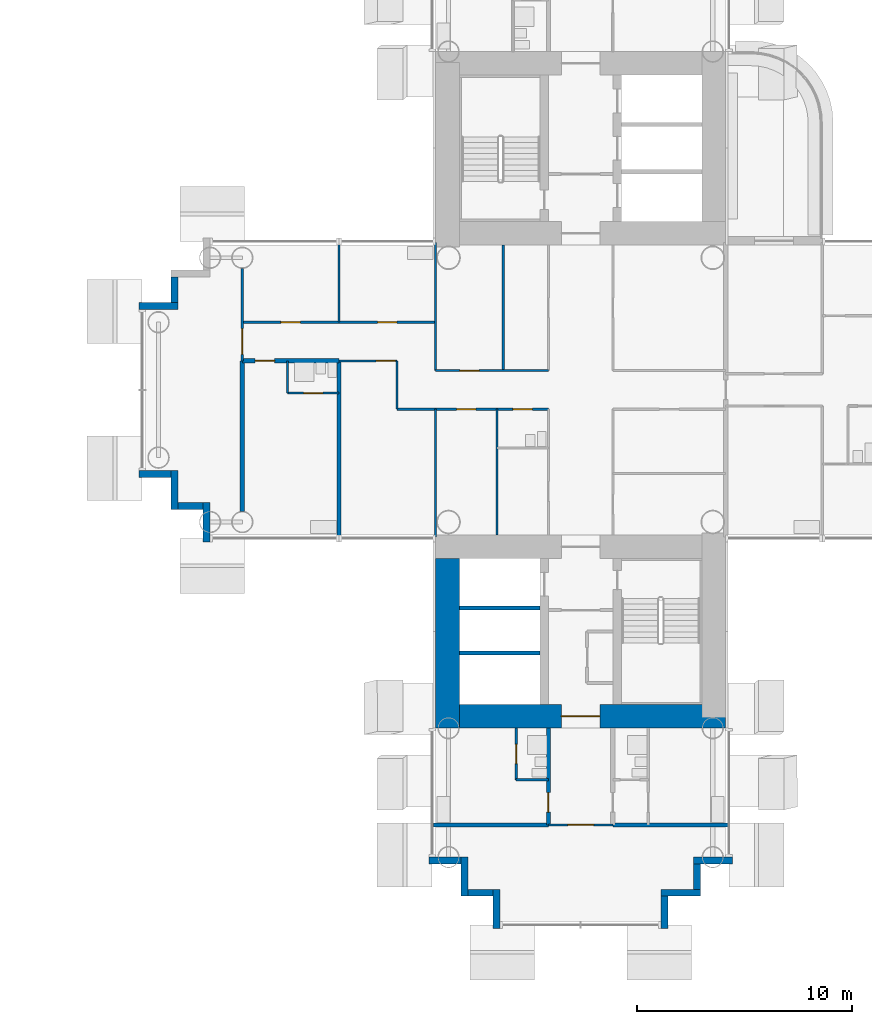
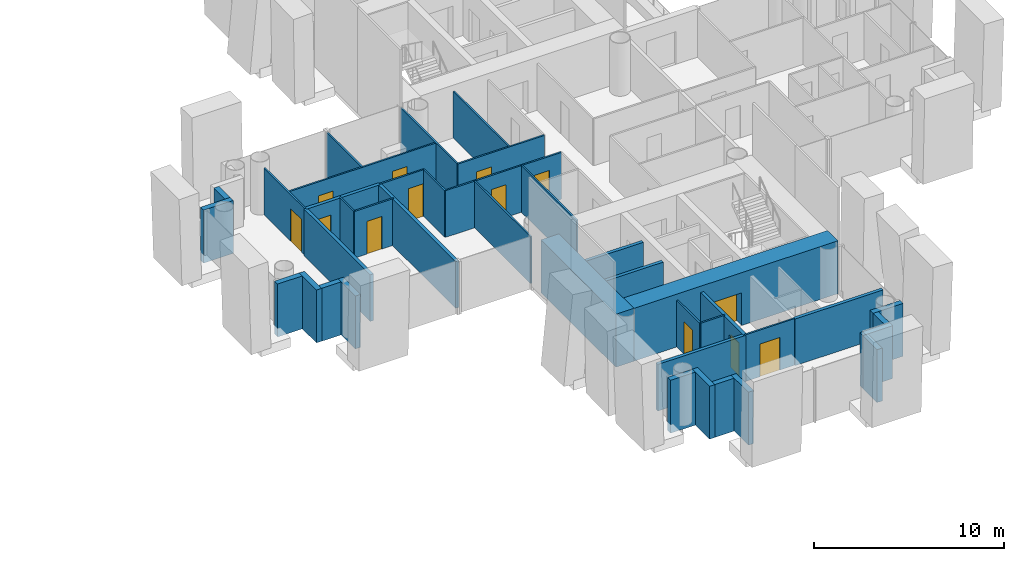
# One storey, part 14 of 25: 40 walls, 13 doors, 13 openings.
"""IFC4 building model written with IfcOpenShell, lengths in metres."""

import ifcopenshell
import ifcopenshell.guid

model = None  # the IFC model being written
_history = None  # IfcOwnerHistory: only IFC2X3 demands one
_inside = {}  # id of a spatial element -> (the spatial element, [elements in it])
_under = {}  # id of a project, library or spatial element -> (it, [spatial elements below it])
_declared = {}  # id of a project -> (the project, [libraries it declares])
_typed = {}  # id of a type object -> (the type object, [elements of that type])
_made_of = {}  # id of a material, layer set ... -> (it, [elements and type objects made of it])


def new_model(schema):
    """Start an empty IFC model of exactly this schema.

    Asked for "IFC4X3", IfcOpenShell would pick the latest addendum, in which some entities
    have other attributes; the version numbers below select the first issue.
    IFC2X3 requires an IfcOwnerHistory on every rooted entity: one is made here for all.
    """
    global model, _history
    if schema == "IFC4X3":
        model = ifcopenshell.file(schema_version=(4, 3, 0, 0))
    else:
        model = ifcopenshell.file(schema=schema)
    _inside.clear()
    _under.clear()
    _declared.clear()
    _typed.clear()
    _made_of.clear()
    _history = None
    if model.schema == "IFC2X3":
        org = make("IfcOrganization", Name="unknown")
        user = make(
            "IfcPersonAndOrganization",
            ThePerson=make("IfcPerson", FamilyName="unknown"),
            TheOrganization=org,
        )
        app = make(
            "IfcApplication",
            ApplicationDeveloper=org,
            Version="unknown",
            ApplicationFullName="unknown",
            ApplicationIdentifier="unknown",
        )
        _history = make(
            "IfcOwnerHistory",
            OwningUser=user,
            OwningApplication=app,
            ChangeAction="ADDED",
            CreationDate=0,
        )
    return model


def make(cls, **values):
    """One entity of the class cls with the attributes given. An attribute that is None is left unset."""
    return model.create_entity(
        cls, **{name: value for name, value in values.items() if value is not None}
    )


def rooted(cls, **values):
    """An entity with a GlobalId (a new one), such as an element, a storey or a relation."""
    return make(cls, GlobalId=ifcopenshell.guid.new(), OwnerHistory=_history, **values)


def si_unit(unit_type, name, prefix=None):
    """IfcSIUnit, for example si_unit("LENGTHUNIT", "METRE", prefix="MILLI")."""
    return make("IfcSIUnit", UnitType=unit_type, Prefix=prefix, Name=name)


def assignment(units):
    """IfcUnitAssignment: the units of a project."""
    return None if units is None else make("IfcUnitAssignment", Units=units)


def point(xyz):
    """IfcCartesianPoint."""
    return None if xyz is None else make("IfcCartesianPoint", Coordinates=xyz)


def direction(xyz):
    """IfcDirection."""
    return None if xyz is None else make("IfcDirection", DirectionRatios=xyz)


def frame(location, z_axis=None, x_axis=None):
    """IfcAxis2Placement3D, a coordinate frame: its origin and axes. An axis left out is left unset."""
    return make(
        "IfcAxis2Placement3D",
        Location=point(location),
        Axis=direction(z_axis),
        RefDirection=direction(x_axis),
    )


def frame_2d(location, x_axis=None):
    """IfcAxis2Placement2D, a coordinate frame in the plane: its origin and x axis."""
    return make(
        "IfcAxis2Placement2D", Location=point(location), RefDirection=direction(x_axis)
    )


def origin():
    """The frame at (0, 0, 0) with its axes left unset."""
    return frame((0.0, 0.0, 0.0))


def place(relative_to, where):
    """IfcLocalPlacement: puts the frame where relative to a parent placement (None: the world)."""
    return make(
        "IfcLocalPlacement", PlacementRelTo=relative_to, RelativePlacement=where
    )


def context(
    kind, dimensions, precision=None, world=None, true_north=None, identifier=None
):
    """IfcGeometricRepresentationContext, for example the 3D "Model" context."""
    return make(
        "IfcGeometricRepresentationContext",
        ContextIdentifier=identifier,
        ContextType=kind,
        CoordinateSpaceDimension=dimensions,
        Precision=precision,
        WorldCoordinateSystem=world,
        TrueNorth=true_north,
    )


def subcontext(parent, identifier, kind, view, scale=None):
    """IfcGeometricRepresentationSubContext, for example "Body" below "Model"."""
    return make(
        "IfcGeometricRepresentationSubContext",
        ContextIdentifier=identifier,
        ContextType=kind,
        ParentContext=parent,
        TargetScale=scale,
        TargetView=view,
    )


def project(units=None, contexts=None):
    """IfcProject with its units and contexts."""
    return rooted(
        "IfcProject",
        Name="project",
        RepresentationContexts=contexts,
        UnitsInContext=assignment(units),
    )


def spatial(cls, under=None, at=None, **own):
    """A site, building, storey or space (cls), placed at a placement, below another one or the project."""
    s = rooted(cls, ObjectPlacement=at, **own)
    if under is not None:
        _under.setdefault(under.id(), (under, []))[1].append(s)
    return s


def profile(cls, at=None, kind="AREA", **sizes):
    """A parametric profile (cls). Its sizes go by their IFC names, for example OverallWidth=200.0."""
    return make(cls, ProfileType=kind, Position=at, **sizes)


def rectangle(**sizes):
    """IfcRectangleProfileDef."""
    return profile("IfcRectangleProfileDef", **sizes)


def extrude(swept, where, along, depth):
    """IfcExtrudedAreaSolid: the profile swept, set in the frame where, extruded along a direction by depth."""
    return make(
        "IfcExtrudedAreaSolid",
        SweptArea=swept,
        Position=where,
        ExtrudedDirection=direction(along),
        Depth=depth,
    )


def shape(context_of_items, identifier, shape_type, items):
    """IfcShapeRepresentation: the items that make up one representation, for example the "Body"."""
    return make(
        "IfcShapeRepresentation",
        ContextOfItems=context_of_items,
        RepresentationIdentifier=identifier,
        RepresentationType=shape_type,
        Items=items,
    )


def material(Name=None, Category=None):
    """IfcMaterial."""
    return make("IfcMaterial", Name=Name, Category=Category)


def layer(
    of_material, thickness, ventilated=None, Name=None, Category=None, Priority=None
):
    """IfcMaterialLayer: one layer of a wall or slab, of a material (None: an air gap)."""
    return make(
        "IfcMaterialLayer",
        Material=of_material,
        LayerThickness=thickness,
        IsVentilated=ventilated,
        Name=Name,
        Category=Category,
        Priority=Priority,
    )


def layer_set(layers, Name=None):
    """IfcMaterialLayerSet."""
    return make("IfcMaterialLayerSet", MaterialLayers=layers, LayerSetName=Name)


def made_of(thing, what):
    """Note that an element or type object is made of a material, layer set ...; save() writes the relation."""
    if what is not None:
        _made_of.setdefault(what.id(), (what, []))[1].append(thing)
    return thing


def type_object(cls, material=None, **own):
    """A type object (cls), such as IfcWallType, which elements share."""
    return made_of(rooted(cls, **own), material)


def element(
    cls,
    number,
    at=None,
    inside=None,
    cuts=None,
    type_object=None,
    material=None,
    context=None,
    identifier="Body",
    shape_type=None,
    held_by="IfcProductDefinitionShape",
    body=None,
    shapes=None,
    **own,
):
    """One element of the class cls, such as IfcWall. Its Tag is "e" and its number.

    at: its placement. inside: the storey or other place that contains it. cuts: it is an
    opening in that element (IfcRelVoidsElement). A single representation is given by context,
    identifier, shape_type and body (its items); several are given by shapes. held_by: the class
    of the entity that holds the representations. save() writes the other relations.
    """
    e = rooted(cls, Tag="e%d" % number, ObjectPlacement=at, **own)
    if body is not None:
        shapes = [shape(context, identifier, shape_type, body)]
    if shapes is not None:
        e.Representation = make(held_by, Representations=shapes)
    if inside is not None:
        _inside.setdefault(inside.id(), (inside, []))[1].append(e)
    if cuts is not None:
        rooted(
            "IfcRelVoidsElement", RelatingBuildingElement=cuts, RelatedOpeningElement=e
        )
    if type_object is not None:
        _typed.setdefault(type_object.id(), (type_object, []))[1].append(e)
    return made_of(e, material)


def fill(opening, filler):
    """IfcRelFillsElement: the door or window that sits in an opening."""
    return rooted(
        "IfcRelFillsElement",
        RelatingOpeningElement=opening,
        RelatedBuildingElement=filler,
    )


def aggregate(whole, parts):
    """IfcRelAggregates: a whole, such as a stair, and the parts it consists of."""
    return rooted("IfcRelAggregates", RelatingObject=whole, RelatedObjects=parts)


def save(model, path):
    """Write the relations noted so far, then the file.

    IfcRelAggregates (storeys below a building ...), IfcRelContainedInSpatialStructure (elements
    in a storey), IfcRelDefinesByType, IfcRelAssociatesMaterial and IfcRelDeclares: one each for
    every whole, place, type object, material and project.
    """
    for whole, parts in _under.values():
        aggregate(whole, parts)
    for where, things in _inside.values():
        rooted(
            "IfcRelContainedInSpatialStructure",
            RelatedElements=things,
            RelatingStructure=where,
        )
    for kind, things in _typed.values():
        rooted("IfcRelDefinesByType", RelatedObjects=things, RelatingType=kind)
    for what, things in _made_of.values():
        rooted("IfcRelAssociatesMaterial", RelatedObjects=things, RelatingMaterial=what)
    for by, libraries in _declared.values():
        rooted("IfcRelDeclares", RelatingContext=by, RelatedDefinitions=libraries)
    model.write(path)


model = new_model("IFC4")

# Units and contexts
model_context = context("Model", 3, precision=1e-05, world=origin(), true_north=direction((0.0, 1.0)))
body_context = subcontext(model_context, "Body", "Model", "MODEL_VIEW")
ifc_project = project(units=[si_unit("LENGTHUNIT", "METRE"), si_unit("AREAUNIT", "SQUARE_METRE"), si_unit("VOLUMEUNIT", "CUBIC_METRE"), si_unit("PLANEANGLEUNIT", "RADIAN"), si_unit("MASSUNIT", "GRAM", prefix="KILO")], contexts=[model_context])

# Site, building, storey
site_placement = place(None, origin())
site = spatial("IfcSite", under=ifc_project, at=site_placement, CompositionType="ELEMENT")
building_placement = place(site_placement, origin())
building = spatial("IfcBuilding", under=site, at=building_placement, Name="Ipe Terrace Towers", CompositionType="ELEMENT")
storey_placement = place(building_placement, frame((0.0, 0.0, 65.300048828125)))
storey = spatial("IfcBuildingStorey", under=building, at=storey_placement, Name="L17", CompositionType="ELEMENT", Elevation=65.300048828125)

# Walls
ifc_material_1 = material(Name="Concrete C40/50 with buff precast cladding", Category="concrete")
ifc_layer_1 = layer(ifc_material_1, 0.320068359375)
ifc_layer_set_1 = layer_set([ifc_layer_1], Name="BUFF CLADDING WALL 320")
wall_type_1 = type_object("IfcWallType", Name="BUFF CLADDING WALL 320", PredefinedType="STANDARD", material=ifc_layer_set_1)
wall_1_placement = place(storey_placement, frame((39.909912109375, -25.070068359375, -0.300048828125), z_axis=(0.0, 0.0, 1.0), x_axis=(0.0, 1.0, 0.0)))
element("IfcWall", 1, at=wall_1_placement, inside=storey, type_object=wall_type_1, Name="T2-W-L17-00a wall", PredefinedType="STANDARD", context=body_context, shape_type="SweptSolid", body=[
    extrude(rectangle(XDim=1.5, YDim=0.320068359375, at=frame_2d((0.75, 0.0))), origin(), (0.0, 0.0, 1.0), 3.39990234375),
])
wall_2_placement = place(storey_placement, frame((39.75, -23.409912109375, -0.300048828125), z_axis=(0.0, 0.0, 1.0), x_axis=(1.0, 0.0, 0.0)))
element("IfcWall", 2, at=wall_2_placement, inside=storey, type_object=wall_type_1, Name="T2-W-L17-01a wall", PredefinedType="STANDARD", context=body_context, shape_type="SweptSolid", body=[
    extrude(rectangle(XDim=1.820068359375, YDim=0.320068359375, at=frame_2d((0.91015625, 0.0))), origin(), (0.0, 0.0, 1.0), 3.39990234375),
])
wall_3_placement = place(storey_placement, frame((41.409912109375, -23.25, -0.300048828125), z_axis=(0.0, 0.0, 1.0), x_axis=(0.0, 1.0, 0.0)))
element("IfcWall", 3, at=wall_3_placement, inside=storey, type_object=wall_type_1, Name="T2-W-L17-02a wall", PredefinedType="STANDARD", context=body_context, shape_type="SweptSolid", body=[
    extrude(rectangle(XDim=1.179931640625, YDim=0.320068359375, at=frame_2d((0.58984375, 0.0))), origin(), (0.0, 0.0, 1.0), 3.39990234375),
])
wall_4_placement = place(storey_placement, frame((41.25, -21.909912109375, -0.300048828125), z_axis=(0.0, 0.0, 1.0), x_axis=(1.0, 0.0, 0.0)))
element("IfcWall", 4, at=wall_4_placement, inside=storey, type_object=wall_type_1, Name="T2-W-L17-03a wall", PredefinedType="STANDARD", context=body_context, shape_type="SweptSolid", body=[
    extrude(rectangle(XDim=1.820068359375, YDim=0.320068359375, at=frame_2d((0.91015625, 0.0))), origin(), (0.0, 0.0, 1.0), 3.39990234375),
])
wall_5_placement = place(storey_placement, frame((17.090087890625, 5.25, -0.300048828125), z_axis=(0.0, 0.0, 1.0), x_axis=(0.0, -1.0, 0.0)))
element("IfcWall", 5, at=wall_5_placement, inside=storey, type_object=wall_type_1, Name="T2-W-L17-36a wall", PredefinedType="STANDARD", context=body_context, shape_type="SweptSolid", body=[
    extrude(rectangle(XDim=1.179931640625, YDim=0.320068359375, at=frame_2d((0.58984375, 0.0))), origin(), (0.0, 0.0, 1.0), 3.39990234375),
])
wall_6_placement = place(storey_placement, frame((17.25, 3.909912109375, -0.300048828125), z_axis=(0.0, 0.0, 1.0), x_axis=(-1.0, 0.0, 0.0)))
element("IfcWall", 6, at=wall_6_placement, inside=storey, type_object=wall_type_1, Name="T2-W-L17-37a wall", PredefinedType="STANDARD", context=body_context, shape_type="SweptSolid", body=[
    extrude(rectangle(XDim=1.820068359375, YDim=0.320068359375, at=frame_2d((0.91015625, 0.0))), origin(), (0.0, 0.0, 1.0), 3.39990234375),
])
wall_7_placement = place(storey_placement, frame((15.429931640625, -3.909912109375, -0.300048828125), z_axis=(0.0, 0.0, 1.0), x_axis=(1.0, 0.0, 0.0)))
element("IfcWall", 7, at=wall_7_placement, inside=storey, type_object=wall_type_1, Name="T2-W-L17-39a wall", PredefinedType="STANDARD", context=body_context, shape_type="SweptSolid", body=[
    extrude(rectangle(XDim=1.5, YDim=0.320068359375, at=frame_2d((0.75, 0.0))), origin(), (0.0, 0.0, 1.0), 3.39990234375),
])
wall_8_placement = place(storey_placement, frame((17.090087890625, -3.75, -0.300048828125), z_axis=(0.0, 0.0, 1.0), x_axis=(0.0, -1.0, 0.0)))
element("IfcWall", 8, at=wall_8_placement, inside=storey, type_object=wall_type_1, Name="T2-W-L17-40a wall", PredefinedType="STANDARD", context=body_context, shape_type="SweptSolid", body=[
    extrude(rectangle(XDim=1.820068359375, YDim=0.320068359375, at=frame_2d((0.91015625, 0.0))), origin(), (0.0, 0.0, 1.0), 3.39990234375),
])
wall_9_placement = place(storey_placement, frame((17.25, -5.409912109375, -0.300048828125), z_axis=(0.0, 0.0, 1.0), x_axis=(1.0, 0.0, 0.0)))
element("IfcWall", 9, at=wall_9_placement, inside=storey, type_object=wall_type_1, Name="T2-W-L17-41a wall", PredefinedType="STANDARD", context=body_context, shape_type="SweptSolid", body=[
    extrude(rectangle(XDim=1.179931640625, YDim=0.320068359375, at=frame_2d((0.58984375, 0.0))), origin(), (0.0, 0.0, 1.0), 3.39990234375),
])
wall_10_placement = place(storey_placement, frame((18.590087890625, -5.25, -0.300048828125), z_axis=(0.0, 0.0, 1.0), x_axis=(0.0, -1.0, 0.0)))
element("IfcWall", 10, at=wall_10_placement, inside=storey, type_object=wall_type_1, Name="T2-W-L17-42a wall", PredefinedType="STANDARD", context=body_context, shape_type="SweptSolid", body=[
    extrude(rectangle(XDim=1.820068359375, YDim=0.320068359375, at=frame_2d((0.91015625, 0.0))), origin(), (0.0, 0.0, 1.0), 3.39990234375),
])
wall_11_placement = place(storey_placement, frame((28.929931640625, -21.909912109375, -0.300048828125), z_axis=(0.0, 0.0, 1.0), x_axis=(1.0, 0.0, 0.0)))
element("IfcWall", 11, at=wall_11_placement, inside=storey, type_object=wall_type_1, Name="T2-W-L17-47a wall", PredefinedType="STANDARD", context=body_context, shape_type="SweptSolid", body=[
    extrude(rectangle(XDim=1.5, YDim=0.320068359375, at=frame_2d((0.75, 0.0))), origin(), (0.0, 0.0, 1.0), 3.39990234375),
])
wall_12_placement = place(storey_placement, frame((30.590087890625, -21.75, -0.300048828125), z_axis=(0.0, 0.0, 1.0), x_axis=(0.0, -1.0, 0.0)))
element("IfcWall", 12, at=wall_12_placement, inside=storey, type_object=wall_type_1, Name="T2-W-L17-48a wall", PredefinedType="STANDARD", context=body_context, shape_type="SweptSolid", body=[
    extrude(rectangle(XDim=1.820068359375, YDim=0.320068359375, at=frame_2d((0.91015625, 0.0))), origin(), (0.0, 0.0, 1.0), 3.39990234375),
])
wall_13_placement = place(storey_placement, frame((30.75, -23.409912109375, -0.300048828125), z_axis=(0.0, 0.0, 1.0), x_axis=(1.0, 0.0, 0.0)))
element("IfcWall", 13, at=wall_13_placement, inside=storey, type_object=wall_type_1, Name="T2-W-L17-49a wall", PredefinedType="STANDARD", context=body_context, shape_type="SweptSolid", body=[
    extrude(rectangle(XDim=1.179931640625, YDim=0.320068359375, at=frame_2d((0.58984375, 0.0))), origin(), (0.0, 0.0, 1.0), 3.39990234375),
])
wall_14_placement = place(storey_placement, frame((32.090087890625, -23.25, -0.300048828125), z_axis=(0.0, 0.0, 1.0), x_axis=(0.0, -1.0, 0.0)))
element("IfcWall", 14, at=wall_14_placement, inside=storey, type_object=wall_type_1, Name="T2-W-L17-50a wall", PredefinedType="STANDARD", context=body_context, shape_type="SweptSolid", body=[
    extrude(rectangle(XDim=1.820068359375, YDim=0.320068359375, at=frame_2d((0.91015625, 0.0))), origin(), (0.0, 0.0, 1.0), 3.39990234375),
])

# Wall, opening, door
ifc_material_2 = material(Name="Gypsum board partition", Category="plasterboard")
ifc_layer_2 = layer(ifc_material_2, 0.10009765625)
ifc_layer_set_2 = layer_set([ifc_layer_2], Name="Gypsum board partition 100 mm")
wall_type_2 = type_object("IfcWallType", Name="Gypsum board partition 100 mm", PredefinedType="PARTITIONING", material=ifc_layer_set_2)
wall_15_placement = place(storey_placement, frame((37.5, -20.25, 0.0), z_axis=(0.0, 0.0, 1.0), x_axis=(-1.0, 0.0, 0.0)))
wall_15 = element("IfcWall", 15, at=wall_15_placement, inside=storey, type_object=wall_type_2, Name="Gypsum board partition T2 L17 W01", PredefinedType="PARTITIONING", context=body_context, shape_type="SweptSolid", body=[
    extrude(rectangle(XDim=3.0, YDim=0.10009765625, at=frame_2d((1.5, 0.0))), origin(), (0.0, 0.0, 1.0), 3.0),
])
opening_1_placement = place(wall_15_placement, frame((0.89990234375, 0.0, 0.0)))
opening_1 = element("IfcOpeningElement", 16, at=opening_1_placement, cuts=wall_15, Name="Opening T2-Z1E-39", PredefinedType="OPENING", context=body_context, shape_type="SweptSolid", body=[
    extrude(rectangle(XDim=1.199951171875, YDim=2.10009765625, at=frame_2d((0.60009765625, 1.050048828125))), frame((0.0, 0.06005859375, 0.0), z_axis=(0.0, -1.0, 0.0), x_axis=(1.0, 0.0, 0.0)), (0.0, 0.0, 1.0), 0.1201171875),
])
ifc_material_3 = material(Name="Timber door leaf", Category="wood")
door_type_1 = type_object("IfcDoorType", Name="Lounge door 1200 x 2100", OperationType="NOTDEFINED", PredefinedType="DOOR", material=ifc_material_3)
door_1_placement = place(opening_1_placement, origin())
door_1 = element("IfcDoor", 17, at=door_1_placement, inside=storey, type_object=door_type_1, Name="Lounge door T2-Z1E-39", OperationType="SINGLE_SWING_LEFT", OverallHeight=2.10009765625, OverallWidth=1.199951171875, PredefinedType="DOOR", context=body_context, shape_type="SweptSolid", body=[
    extrude(rectangle(XDim=1.199951171875, YDim=2.10009765625, at=frame_2d((0.60009765625, 1.050048828125))), frame((0.0, 0.02490234375, 0.0), z_axis=(0.0, -1.0, 0.0), x_axis=(1.0, 0.0, 0.0)), (0.0, 0.0, 1.0), 0.050048828125),
])
fill(opening_1, door_1)

# Wall
wall_16_placement = place(storey_placement, frame((34.5, -18.14990234375, 0.0), z_axis=(0.0, 0.0, 1.0), x_axis=(-1.0, 0.0, 0.0)))
element("IfcWall", 18, at=wall_16_placement, inside=storey, type_object=wall_type_2, Name="Gypsum board partition T2 L17 W05", PredefinedType="PARTITIONING", context=body_context, shape_type="SweptSolid", body=[
    extrude(rectangle(XDim=1.5, YDim=0.10009765625, at=frame_2d((0.75, 0.0))), origin(), (0.0, 0.0, 1.0), 3.0),
])

# Wall, openings, doors
wall_17_placement = place(storey_placement, frame((34.5, -0.89990234375, 0.0), z_axis=(0.0, 0.0, 1.0), x_axis=(-1.0, 0.0, 0.0)))
wall_17 = element("IfcWall", 19, at=wall_17_placement, inside=storey, type_object=wall_type_2, Name="Gypsum board partition T2 L17 W11", PredefinedType="PARTITIONING", context=body_context, shape_type="SweptSolid", body=[
    extrude(rectangle(XDim=7.050048828125, YDim=0.10009765625, at=frame_2d((3.52490234375, 0.0))), origin(), (0.0, 0.0, 1.0), 3.0),
])
opening_2_placement = place(wall_17_placement, frame((0.75, 0.0, 0.0)))
opening_2 = element("IfcOpeningElement", 20, at=opening_2_placement, cuts=wall_17, Name="Opening T2-Z1E-01", PredefinedType="OPENING", context=body_context, shape_type="SweptSolid", body=[
    extrude(rectangle(XDim=0.89990234375, YDim=2.10009765625, at=frame_2d((0.449951171875, 1.050048828125))), frame((0.0, 0.06005859375, 0.0), z_axis=(0.0, -1.0, 0.0), x_axis=(1.0, 0.0, 0.0)), (0.0, 0.0, 1.0), 0.1201171875),
])
opening_3_placement = place(wall_17_placement, frame((3.375, 0.0, 0.0)))
opening_3 = element("IfcOpeningElement", 21, at=opening_3_placement, cuts=wall_17, Name="Opening T2-Z1E-05", PredefinedType="OPENING", context=body_context, shape_type="SweptSolid", body=[
    extrude(rectangle(XDim=0.89990234375, YDim=2.10009765625, at=frame_2d((0.449951171875, 1.050048828125))), frame((0.0, 0.06005859375, 0.0), z_axis=(0.0, -1.0, 0.0), x_axis=(1.0, 0.0, 0.0)), (0.0, 0.0, 1.0), 0.1201171875),
])
ifc_material_4 = material(Name="Timber door leaf", Category="wood")
door_type_2 = type_object("IfcDoorType", Name="Bathroom door 900 x 2100", OperationType="NOTDEFINED", PredefinedType="DOOR", material=ifc_material_4)
door_2_placement = place(opening_2_placement, origin())
door_2 = element("IfcDoor", 22, at=door_2_placement, inside=storey, type_object=door_type_2, Name="Bathroom door T2-Z1E-01", OperationType="SINGLE_SWING_RIGHT", OverallHeight=2.10009765625, OverallWidth=0.89990234375, PredefinedType="DOOR", context=body_context, shape_type="SweptSolid", body=[
    extrude(rectangle(XDim=0.89990234375, YDim=2.10009765625, at=frame_2d((0.449951171875, 1.050048828125))), frame((0.0, 0.02490234375, 0.0), z_axis=(0.0, -1.0, 0.0), x_axis=(1.0, 0.0, 0.0)), (0.0, 0.0, 1.0), 0.050048828125),
])
fill(opening_2, door_2)
ifc_material_5 = material(Name="Timber door leaf", Category="wood")
door_type_3 = type_object("IfcDoorType", Name="Lounge door 900 x 2100", OperationType="NOTDEFINED", PredefinedType="DOOR", material=ifc_material_5)
door_3_placement = place(opening_3_placement, origin())
door_3 = element("IfcDoor", 23, at=door_3_placement, inside=storey, type_object=door_type_3, Name="Lounge door T2-Z1E-05", OperationType="SINGLE_SWING_LEFT", OverallHeight=2.10009765625, OverallWidth=0.89990234375, PredefinedType="DOOR", context=body_context, shape_type="SweptSolid", body=[
    extrude(rectangle(XDim=0.89990234375, YDim=2.10009765625, at=frame_2d((0.449951171875, 1.050048828125))), frame((0.0, 0.02490234375, 0.0), z_axis=(0.0, -1.0, 0.0), x_axis=(1.0, 0.0, 0.0)), (0.0, 0.0, 1.0), 0.050048828125),
])
fill(opening_3, door_3)

# Wall, opening, door
wall_18_placement = place(storey_placement, frame((24.75, -0.14990234375, 0.0), z_axis=(0.0, 0.0, 1.0), x_axis=(-1.0, 0.0, 0.0)))
wall_18 = element("IfcWall", 24, at=wall_18_placement, inside=storey, type_object=wall_type_2, Name="Gypsum board partition T2 L17 W14", PredefinedType="PARTITIONING", context=body_context, shape_type="SweptSolid", body=[
    extrude(rectangle(XDim=2.39990234375, YDim=0.10009765625, at=frame_2d((1.199951171875, 0.0))), origin(), (0.0, 0.0, 1.0), 3.0),
])
opening_4_placement = place(wall_18_placement, frame((0.75, 0.0, 0.0)))
opening_4 = element("IfcOpeningElement", 25, at=opening_4_placement, cuts=wall_18, Name="Opening T2-Z1E-11", PredefinedType="OPENING", context=body_context, shape_type="SweptSolid", body=[
    extrude(rectangle(XDim=0.89990234375, YDim=2.10009765625, at=frame_2d((0.449951171875, 1.050048828125))), frame((0.0, 0.06005859375, 0.0), z_axis=(0.0, -1.0, 0.0), x_axis=(1.0, 0.0, 0.0)), (0.0, 0.0, 1.0), 0.1201171875),
])
door_4_placement = place(opening_4_placement, origin())
door_4 = element("IfcDoor", 26, at=door_4_placement, inside=storey, type_object=door_type_2, Name="Bathroom door T2-Z1E-11", OperationType="SINGLE_SWING_LEFT", OverallHeight=2.10009765625, OverallWidth=0.89990234375, PredefinedType="DOOR", context=body_context, shape_type="SweptSolid", body=[
    extrude(rectangle(XDim=0.89990234375, YDim=2.10009765625, at=frame_2d((0.449951171875, 1.050048828125))), frame((0.0, 0.02490234375, 0.0), z_axis=(0.0, -1.0, 0.0), x_axis=(1.0, 0.0, 0.0)), (0.0, 0.0, 1.0), 0.050048828125),
])
fill(opening_4, door_4)

wall_19_placement = place(storey_placement, frame((34.5, 0.89990234375, 0.0), z_axis=(0.0, 0.0, 1.0), x_axis=(-1.0, 0.0, 0.0)))
wall_19 = element("IfcWall", 27, at=wall_19_placement, inside=storey, type_object=wall_type_2, Name="Gypsum board partition T2 L17 W17", PredefinedType="PARTITIONING", context=body_context, shape_type="SweptSolid", body=[
    extrude(rectangle(XDim=5.25, YDim=0.10009765625, at=frame_2d((2.625, 0.0))), origin(), (0.0, 0.0, 1.0), 3.0),
])
opening_5_placement = place(wall_19_placement, frame((3.22509765625, 0.0, 0.0)))
opening_5 = element("IfcOpeningElement", 28, at=opening_5_placement, cuts=wall_19, Name="Opening T2-Z1E-03", PredefinedType="OPENING", context=body_context, shape_type="SweptSolid", body=[
    extrude(rectangle(XDim=0.89990234375, YDim=2.10009765625, at=frame_2d((0.449951171875, 1.050048828125))), frame((0.0, 0.06005859375, 0.0), z_axis=(0.0, -1.0, 0.0), x_axis=(1.0, 0.0, 0.0)), (0.0, 0.0, 1.0), 0.1201171875),
])
door_5_placement = place(opening_5_placement, origin())
door_5 = element("IfcDoor", 29, at=door_5_placement, inside=storey, type_object=door_type_3, Name="Lounge door T2-Z1E-03", OperationType="SINGLE_SWING_RIGHT", OverallHeight=2.10009765625, OverallWidth=0.89990234375, PredefinedType="DOOR", context=body_context, shape_type="SweptSolid", body=[
    extrude(rectangle(XDim=0.89990234375, YDim=2.10009765625, at=frame_2d((0.449951171875, 1.050048828125))), frame((0.0, 0.02490234375, 0.0), z_axis=(0.0, -1.0, 0.0), x_axis=(1.0, 0.0, 0.0)), (0.0, 0.0, 1.0), 0.050048828125),
])
fill(opening_5, door_5)

wall_20_placement = place(storey_placement, frame((27.449951171875, 1.35009765625, 0.0), z_axis=(0.0, 0.0, 1.0), x_axis=(-1.0, 0.0, 0.0)))
wall_20 = element("IfcWall", 30, at=wall_20_placement, inside=storey, type_object=wall_type_2, Name="Gypsum board partition T2 L17 W18", PredefinedType="PARTITIONING", context=body_context, shape_type="SweptSolid", body=[
    extrude(rectangle(XDim=2.699951171875, YDim=0.10009765625, at=frame_2d((1.35009765625, 0.0))), origin(), (0.0, 0.0, 1.0), 3.0),
])
opening_6_placement = place(wall_20_placement, frame((0.070068359375, 0.0, 0.0)))
opening_6 = element("IfcOpeningElement", 31, at=opening_6_placement, cuts=wall_20, Name="Opening T2-Z1E-09", PredefinedType="OPENING", context=body_context, shape_type="SweptSolid", body=[
    extrude(rectangle(XDim=0.89990234375, YDim=2.10009765625, at=frame_2d((0.449951171875, 1.050048828125))), frame((0.0, 0.06005859375, 0.0), z_axis=(0.0, -1.0, 0.0), x_axis=(1.0, 0.0, 0.0)), (0.0, 0.0, 1.0), 0.1201171875),
])
door_6_placement = place(opening_6_placement, origin())
door_6 = element("IfcDoor", 32, at=door_6_placement, inside=storey, type_object=door_type_3, Name="Lounge door T2-Z1E-09", OperationType="SINGLE_SWING_RIGHT", OverallHeight=2.10009765625, OverallWidth=0.89990234375, PredefinedType="DOOR", context=body_context, shape_type="SweptSolid", body=[
    extrude(rectangle(XDim=0.89990234375, YDim=2.10009765625, at=frame_2d((0.449951171875, 1.050048828125))), frame((0.0, 0.02490234375, 0.0), z_axis=(0.0, -1.0, 0.0), x_axis=(1.0, 0.0, 0.0)), (0.0, 0.0, 1.0), 0.050048828125),
])
fill(opening_6, door_6)

# Wall, openings, doors
wall_21_placement = place(storey_placement, frame((29.25, 3.14990234375, 0.0), z_axis=(0.0, 0.0, 1.0), x_axis=(-1.0, 0.0, 0.0)))
wall_21 = element("IfcWall", 33, at=wall_21_placement, inside=storey, type_object=wall_type_2, Name="Gypsum board partition T2 L17 W21", PredefinedType="PARTITIONING", context=body_context, shape_type="SweptSolid", body=[
    extrude(rectangle(XDim=9.0, YDim=0.10009765625, at=frame_2d((4.5, 0.0))), origin(), (0.0, 0.0, 1.0), 3.0),
])
opening_7_placement = place(wall_21_placement, frame((1.800048828125, 0.0, 0.0)))
opening_7 = element("IfcOpeningElement", 34, at=opening_7_placement, cuts=wall_21, Name="Opening T2-Z1E-12", PredefinedType="OPENING", context=body_context, shape_type="SweptSolid", body=[
    extrude(rectangle(XDim=0.89990234375, YDim=2.10009765625, at=frame_2d((0.449951171875, 1.050048828125))), frame((0.0, 0.06005859375, 0.0), z_axis=(0.0, -1.0, 0.0), x_axis=(1.0, 0.0, 0.0)), (0.0, 0.0, 1.0), 0.1201171875),
])
opening_8_placement = place(wall_21_placement, frame((6.300048828125, 0.0, 0.0)))
opening_8 = element("IfcOpeningElement", 35, at=opening_8_placement, cuts=wall_21, Name="Opening T2-Z1E-13", PredefinedType="OPENING", context=body_context, shape_type="SweptSolid", body=[
    extrude(rectangle(XDim=0.89990234375, YDim=2.10009765625, at=frame_2d((0.449951171875, 1.050048828125))), frame((0.0, 0.06005859375, 0.0), z_axis=(0.0, -1.0, 0.0), x_axis=(1.0, 0.0, 0.0)), (0.0, 0.0, 1.0), 0.1201171875),
])
door_7_placement = place(opening_7_placement, origin())
door_7 = element("IfcDoor", 36, at=door_7_placement, inside=storey, type_object=door_type_3, Name="Lounge door T2-Z1E-12", OperationType="SINGLE_SWING_LEFT", OverallHeight=2.10009765625, OverallWidth=0.89990234375, PredefinedType="DOOR", context=body_context, shape_type="SweptSolid", body=[
    extrude(rectangle(XDim=0.89990234375, YDim=2.10009765625, at=frame_2d((0.449951171875, 1.050048828125))), frame((0.0, 0.02490234375, 0.0), z_axis=(0.0, -1.0, 0.0), x_axis=(1.0, 0.0, 0.0)), (0.0, 0.0, 1.0), 0.050048828125),
])
fill(opening_7, door_7)
door_8_placement = place(opening_8_placement, origin())
door_8 = element("IfcDoor", 37, at=door_8_placement, inside=storey, type_object=door_type_3, Name="Lounge door T2-Z1E-13", OperationType="SINGLE_SWING_RIGHT", OverallHeight=2.10009765625, OverallWidth=0.89990234375, PredefinedType="DOOR", context=body_context, shape_type="SweptSolid", body=[
    extrude(rectangle(XDim=0.89990234375, YDim=2.10009765625, at=frame_2d((0.449951171875, 1.050048828125))), frame((0.0, 0.02490234375, 0.0), z_axis=(0.0, -1.0, 0.0), x_axis=(1.0, 0.0, 0.0)), (0.0, 0.0, 1.0), 0.050048828125),
])
fill(opening_8, door_8)

# Wall, opening, door
wall_22_placement = place(storey_placement, frame((33.0, -18.14990234375, 0.0), z_axis=(0.0, 0.0, 1.0), x_axis=(0.0, 1.0, 0.0)))
wall_22 = element("IfcWall", 38, at=wall_22_placement, inside=storey, type_object=wall_type_2, Name="Gypsum board partition T2 L17 W45", PredefinedType="PARTITIONING", context=body_context, shape_type="SweptSolid", body=[
    extrude(rectangle(XDim=2.39990234375, YDim=0.10009765625, at=frame_2d((1.199951171875, 0.0))), origin(), (0.0, 0.0, 1.0), 3.0),
])
opening_9_placement = place(wall_22_placement, frame((0.75, 0.0, 0.0)))
opening_9 = element("IfcOpeningElement", 39, at=opening_9_placement, cuts=wall_22, Name="Opening T2-Z1E-38", PredefinedType="OPENING", context=body_context, shape_type="SweptSolid", body=[
    extrude(rectangle(XDim=0.89990234375, YDim=2.10009765625, at=frame_2d((0.449951171875, 1.050048828125))), frame((0.0, 0.06005859375, 0.0), z_axis=(0.0, -1.0, 0.0), x_axis=(1.0, 0.0, 0.0)), (0.0, 0.0, 1.0), 0.1201171875),
])
door_9_placement = place(opening_9_placement, origin())
door_9 = element("IfcDoor", 40, at=door_9_placement, inside=storey, type_object=door_type_2, Name="Bathroom door T2-Z1E-38", OperationType="SINGLE_SWING_RIGHT", OverallHeight=2.10009765625, OverallWidth=0.89990234375, PredefinedType="DOOR", context=body_context, shape_type="SweptSolid", body=[
    extrude(rectangle(XDim=0.89990234375, YDim=2.10009765625, at=frame_2d((0.449951171875, 1.050048828125))), frame((0.0, 0.02490234375, 0.0), z_axis=(0.0, -1.0, 0.0), x_axis=(1.0, 0.0, 0.0)), (0.0, 0.0, 1.0), 0.050048828125),
])
fill(opening_9, door_9)

# Walls
for number, where, z_axis, x_axis, name in (
    (41, (32.39990234375, 0.89990234375, 0.0), (0.0, 0.0, 1.0), (0.0, 1.0, 0.0), "Gypsum board partition T2 L17 W47"),
    (42, (32.10009765625, -6.75, 0.0), (0.0, 0.0, 1.0), (0.0, 1.0, 0.0), "Gypsum board partition T2 L17 W48"),
):
    element("IfcWall", number, at=place(storey_placement, frame(where, z_axis=z_axis, x_axis=x_axis)), inside=storey, type_object=wall_type_2, Name=name, PredefinedType="PARTITIONING", context=body_context, shape_type="SweptSolid", body=[
        extrude(rectangle(XDim=5.85009765625, YDim=0.10009765625, at=frame_2d((2.925048828125, 0.0))), origin(), (0.0, 0.0, 1.0), 3.0),
    ])
for number, where, z_axis, x_axis, name in (
    (43, (29.25, -6.85009765625, 0.0), (0.0, 0.0, 1.0), (0.0, 1.0, 0.0), "Gypsum board partition T2 L17 W49"),
    (44, (29.25, 0.89990234375, 0.0), (0.0, 0.0, 1.0), (0.0, 1.0, 0.0), "Gypsum board partition T2 L17 W50"),
):
    element("IfcWall", number, at=place(storey_placement, frame(where, z_axis=z_axis, x_axis=x_axis)), inside=storey, type_object=wall_type_2, Name=name, PredefinedType="PARTITIONING", context=body_context, shape_type="SweptSolid", body=[
        extrude(rectangle(XDim=5.9501953125, YDim=0.10009765625, at=frame_2d((2.97509765625, 0.0))), origin(), (0.0, 0.0, 1.0), 3.0),
    ])
wall_23_placement = place(storey_placement, frame((27.449951171875, -0.89990234375, 0.0), z_axis=(0.0, 0.0, 1.0), x_axis=(0.0, 1.0, 0.0)))
element("IfcWall", 45, at=wall_23_placement, inside=storey, type_object=wall_type_2, Name="Gypsum board partition T2 L17 W51", PredefinedType="PARTITIONING", context=body_context, shape_type="SweptSolid", body=[
    extrude(rectangle(XDim=2.25, YDim=0.10009765625, at=frame_2d((1.125, 0.0))), origin(), (0.0, 0.0, 1.0), 3.0),
])
wall_24_placement = place(storey_placement, frame((24.75, 3.14990234375, 0.0), z_axis=(0.0, 0.0, 1.0), x_axis=(0.0, 1.0, 0.0)))
element("IfcWall", 46, at=wall_24_placement, inside=storey, type_object=wall_type_2, Name="Gypsum board partition T2 L17 W52", PredefinedType="PARTITIONING", context=body_context, shape_type="SweptSolid", body=[
    extrude(rectangle(XDim=3.7001953125, YDim=0.10009765625, at=frame_2d((1.85009765625, 0.0))), origin(), (0.0, 0.0, 1.0), 3.0),
])
wall_25_placement = place(storey_placement, frame((22.35009765625, -0.14990234375, 0.0), z_axis=(0.0, 0.0, 1.0), x_axis=(0.0, 1.0, 0.0)))
element("IfcWall", 47, at=wall_25_placement, inside=storey, type_object=wall_type_2, Name="Gypsum board partition T2 L17 W54", PredefinedType="PARTITIONING", context=body_context, shape_type="SweptSolid", body=[
    extrude(rectangle(XDim=1.5, YDim=0.10009765625, at=frame_2d((0.75, 0.0))), origin(), (0.0, 0.0, 1.0), 3.0),
])

# Wall, opening, door
wall_26_placement = place(storey_placement, frame((20.25, 1.35009765625, 0.0), z_axis=(0.0, 0.0, 1.0), x_axis=(0.0, 1.0, 0.0)))
wall_26 = element("IfcWall", 48, at=wall_26_placement, inside=storey, type_object=wall_type_2, Name="Gypsum board partition T2 L17 W55", PredefinedType="PARTITIONING", context=body_context, shape_type="SweptSolid", body=[
    extrude(rectangle(XDim=4.2998046875, YDim=0.10009765625, at=frame_2d((2.14990234375, 0.0))), origin(), (0.0, 0.0, 1.0), 3.0),
])
opening_10_placement = place(wall_26_placement, frame((0.300048828125, 0.0, 0.0)))
opening_10 = element("IfcOpeningElement", 49, at=opening_10_placement, cuts=wall_26, Name="Opening T2-Z1E-14", PredefinedType="OPENING", context=body_context, shape_type="SweptSolid", body=[
    extrude(rectangle(XDim=1.199951171875, YDim=2.10009765625, at=frame_2d((0.60009765625, 1.050048828125))), frame((0.0, 0.06005859375, 0.0), z_axis=(0.0, -1.0, 0.0), x_axis=(1.0, 0.0, 0.0)), (0.0, 0.0, 1.0), 0.1201171875),
])
door_10_placement = place(opening_10_placement, origin())
door_10 = element("IfcDoor", 50, at=door_10_placement, inside=storey, type_object=door_type_1, Name="Lounge door T2-Z1E-14", OperationType="SINGLE_SWING_RIGHT", OverallHeight=2.10009765625, OverallWidth=1.199951171875, PredefinedType="DOOR", context=body_context, shape_type="SweptSolid", body=[
    extrude(rectangle(XDim=1.199951171875, YDim=2.10009765625, at=frame_2d((0.60009765625, 1.050048828125))), frame((0.0, 0.02490234375, 0.0), z_axis=(0.0, -1.0, 0.0), x_axis=(1.0, 0.0, 0.0)), (0.0, 0.0, 1.0), 0.050048828125),
])
fill(opening_10, door_10)

# Walls
ifc_material_6 = material(Name="Gypsum board party wall", Category="plasterboard")
ifc_layer_3 = layer(ifc_material_6, 0.199951171875)
ifc_layer_set_3 = layer_set([ifc_layer_3], Name="Gypsum board party wall 200 mm")
wall_type_3 = type_object("IfcWallType", Name="Gypsum board party wall 200 mm", PredefinedType="SOLIDWALL", material=ifc_layer_set_3)
for number, where, z_axis, x_axis, name in (
    (51, (30.35009765625, -10.14990234375, 0.0), (0.0, 0.0, 1.0), (1.0, 0.0, 0.0), "Gypsum board party wall T2 L17 t2c2-shaft-div1"),
    (52, (30.35009765625, -12.25, 0.0), (0.0, 0.0, 1.0), (1.0, 0.0, 0.0), "Gypsum board party wall T2 L17 t2c2-shaft-div2"),
):
    element("IfcWall", number, at=place(storey_placement, frame(where, z_axis=z_axis, x_axis=x_axis)), inside=storey, type_object=wall_type_3, Name=name, PredefinedType="SOLIDWALL", context=body_context, shape_type="SweptSolid", body=[
        extrude(rectangle(XDim=3.75, YDim=0.199951171875, at=frame_2d((1.875, 0.0))), origin(), (0.0, 0.0, 1.0), 3.0),
    ])
for number, where, z_axis, x_axis, name in (
    (53, (42.85009765625, -20.25, 0.0), (0.0, 0.0, 1.0), (-1.0, 0.0, 0.0), "Gypsum board party wall T2 L17 W02"),
    (54, (34.5, -20.25, 0.0), (0.0, 0.0, 1.0), (-1.0, 0.0, 0.0), "Gypsum board party wall T2 L17 W03"),
):
    element("IfcWall", number, at=place(storey_placement, frame(where, z_axis=z_axis, x_axis=x_axis)), inside=storey, type_object=wall_type_3, Name=name, PredefinedType="SOLIDWALL", context=body_context, shape_type="SweptSolid", body=[
        extrude(rectangle(XDim=5.35009765625, YDim=0.199951171875, at=frame_2d((2.675048828125, 0.0))), origin(), (0.0, 0.0, 1.0), 3.0),
    ])

# Wall, opening, door
wall_27_placement = place(storey_placement, frame((24.75, 1.35009765625, 0.0), z_axis=(0.0, 0.0, 1.0), x_axis=(-1.0, 0.0, 0.0)))
wall_27 = element("IfcWall", 55, at=wall_27_placement, inside=storey, type_object=wall_type_3, Name="Gypsum board party wall T2 L17 W19", PredefinedType="SOLIDWALL", context=body_context, shape_type="SweptSolid", body=[
    extrude(rectangle(XDim=4.5, YDim=0.199951171875, at=frame_2d((2.25, 0.0))), origin(), (0.0, 0.0, 1.0), 3.0),
])
opening_11_placement = place(wall_27_placement, frame((3.0, 0.0, 0.0)))
opening_11 = element("IfcOpeningElement", 56, at=opening_11_placement, cuts=wall_27, Name="Opening T2-Z1E-10", PredefinedType="OPENING", context=body_context, shape_type="SweptSolid", body=[
    extrude(rectangle(XDim=0.89990234375, YDim=2.10009765625, at=frame_2d((0.449951171875, 1.050048828125))), frame((0.0, 0.10986328125, 0.0), z_axis=(0.0, -1.0, 0.0), x_axis=(1.0, 0.0, 0.0)), (0.0, 0.0, 1.0), 0.219970703125),
])
ifc_material_7 = material(Name="Fire-rated timber door leaf", Category="wood")
door_type_4 = type_object("IfcDoorType", Name="Flat entrance door 900 x 2100 FD30S", OperationType="NOTDEFINED", PredefinedType="DOOR", material=ifc_material_7)
door_11_placement = place(opening_11_placement, origin())
door_11 = element("IfcDoor", 57, at=door_11_placement, inside=storey, type_object=door_type_4, Name="Flat entrance door T2-Z1E-10", OperationType="SINGLE_SWING_LEFT", OverallHeight=2.10009765625, OverallWidth=0.89990234375, PredefinedType="DOOR", context=body_context, shape_type="SweptSolid", body=[
    extrude(rectangle(XDim=0.89990234375, YDim=2.10009765625, at=frame_2d((0.449951171875, 1.050048828125))), frame((0.0, 0.02490234375, 0.0), z_axis=(0.0, -1.0, 0.0), x_axis=(1.0, 0.0, 0.0)), (0.0, 0.0, 1.0), 0.050048828125),
])
fill(opening_11, door_11)

wall_28_placement = place(storey_placement, frame((34.5, -20.25, 0.0), z_axis=(0.0, 0.0, 1.0), x_axis=(0.0, 1.0, 0.0)))
wall_28 = element("IfcWall", 58, at=wall_28_placement, inside=storey, type_object=wall_type_3, Name="Gypsum board party wall T2 L17 W42", PredefinedType="SOLIDWALL", context=body_context, shape_type="SweptSolid", body=[
    extrude(rectangle(XDim=4.5, YDim=0.199951171875, at=frame_2d((2.25, 0.0))), origin(), (0.0, 0.0, 1.0), 3.0),
])
opening_12_placement = place(wall_28_placement, frame((0.60009765625, 0.0, 0.0)))
opening_12 = element("IfcOpeningElement", 59, at=opening_12_placement, cuts=wall_28, Name="Opening T2-Z1E-37", PredefinedType="OPENING", context=body_context, shape_type="SweptSolid", body=[
    extrude(rectangle(XDim=0.89990234375, YDim=2.10009765625, at=frame_2d((0.449951171875, 1.050048828125))), frame((0.0, 0.10986328125, 0.0), z_axis=(0.0, -1.0, 0.0), x_axis=(1.0, 0.0, 0.0)), (0.0, 0.0, 1.0), 0.219970703125),
])
door_12_placement = place(opening_12_placement, origin())
door_12 = element("IfcDoor", 60, at=door_12_placement, inside=storey, type_object=door_type_4, Name="Flat entrance door T2-Z1E-37", OperationType="SINGLE_SWING_RIGHT", OverallHeight=2.10009765625, OverallWidth=0.89990234375, PredefinedType="DOOR", context=body_context, shape_type="SweptSolid", body=[
    extrude(rectangle(XDim=0.89990234375, YDim=2.10009765625, at=frame_2d((0.449951171875, 1.050048828125))), frame((0.0, 0.02490234375, 0.0), z_axis=(0.0, -1.0, 0.0), x_axis=(1.0, 0.0, 0.0)), (0.0, 0.0, 1.0), 0.050048828125),
])
fill(opening_12, door_12)

# Walls
wall_29_placement = place(storey_placement, frame((24.75, -6.85009765625, 0.0), z_axis=(0.0, 0.0, 1.0), x_axis=(0.0, 1.0, 0.0)))
element("IfcWall", 61, at=wall_29_placement, inside=storey, type_object=wall_type_3, Name="Gypsum board party wall T2 L17 W53", PredefinedType="SOLIDWALL", context=body_context, shape_type="SweptSolid", body=[
    extrude(rectangle(XDim=8.2001953125, YDim=0.199951171875, at=frame_2d((4.10009765625, 0.0))), origin(), (0.0, 0.0, 1.0), 3.0),
])
wall_30_placement = place(storey_placement, frame((20.25, -5.64990234375, 0.0), z_axis=(0.0, 0.0, 1.0), x_axis=(0.0, 1.0, 0.0)))
element("IfcWall", 62, at=wall_30_placement, inside=storey, type_object=wall_type_3, Name="Gypsum board party wall T2 L17 W56", PredefinedType="SOLIDWALL", context=body_context, shape_type="SweptSolid", body=[
    extrude(rectangle(XDim=7.0, YDim=0.199951171875, at=frame_2d((3.5, 0.0))), origin(), (0.0, 0.0, 1.0), 3.0),
])

# Wall, opening, door
ifc_material_8 = material(Name="Concrete C60/75", Category="concrete")
ifc_layer_4 = layer(ifc_material_8, 1.10009765625)
ifc_layer_set_4 = layer_set([ifc_layer_4], Name="RW1100 CORE WALL 1100 C60-75")
wall_type_4 = type_object("IfcWallType", Name="RW1100 CORE WALL 1100 C60-75", PredefinedType="SHEAR", material=ifc_layer_set_4)
wall_31_placement = place(storey_placement, frame((30.35009765625, -15.199951171875, 0.0), z_axis=(0.0, 0.0, 1.0), x_axis=(1.0, 0.0, 0.0)))
wall_31 = element("IfcWall", 63, at=wall_31_placement, inside=storey, type_object=wall_type_4, Name="Core wall T2-C2-Z1-W01", PredefinedType="SHEAR", context=body_context, shape_type="SweptSolid", body=[
    extrude(rectangle(XDim=12.39990234375, YDim=1.10009765625, at=frame_2d((6.199951171875, 0.0))), origin(), (0.0, 0.0, 1.0), 3.39990234375),
])
opening_13_placement = place(wall_31_placement, frame((4.75, 0.0, 0.0)))
opening_13 = element("IfcOpeningElement", 64, at=opening_13_placement, cuts=wall_31, Name="Opening T2C2-FD", PredefinedType="OPENING", context=body_context, shape_type="SweptSolid", body=[
    extrude(rectangle(XDim=1.800048828125, YDim=2.10009765625, at=frame_2d((0.89990234375, 1.050048828125))), frame((0.0, 0.56005859375, 0.0), z_axis=(0.0, -1.0, 0.0), x_axis=(1.0, 0.0, 0.0)), (0.0, 0.0, 1.0), 1.1201171875),
])
ifc_material_9 = material(Name="Fire-rated timber door leaf", Category="wood")
door_type_5 = type_object("IfcDoorType", Name="Fire door 1800 x 2100 FD30S", OperationType="NOTDEFINED", PredefinedType="DOOR", material=ifc_material_9)
door_13_placement = place(opening_13_placement, origin())
door_13 = element("IfcDoor", 65, at=door_13_placement, inside=storey, type_object=door_type_5, Name="Fire door T2C2-FD", OperationType="SINGLE_SWING_LEFT", OverallHeight=2.10009765625, OverallWidth=1.800048828125, PredefinedType="DOOR", context=body_context, shape_type="SweptSolid", body=[
    extrude(rectangle(XDim=1.800048828125, YDim=2.10009765625, at=frame_2d((0.89990234375, 1.050048828125))), frame((0.0, 0.02490234375, 0.0), z_axis=(0.0, -1.0, 0.0), x_axis=(1.0, 0.0, 0.0)), (0.0, 0.0, 1.0), 0.050048828125),
])
fill(opening_13, door_13)

# Wall
wall_32_placement = place(storey_placement, frame((29.800048828125, -7.85009765625, 0.0), z_axis=(0.0, 0.0, 1.0), x_axis=(0.0, -1.0, 0.0)))
element("IfcWall", 66, at=wall_32_placement, inside=storey, type_object=wall_type_4, Name="Core wall T2-C2-Z1-W04", PredefinedType="SHEAR", context=body_context, shape_type="SweptSolid", body=[
    extrude(rectangle(XDim=7.89990234375, YDim=1.10009765625, at=frame_2d((3.949951171875, 0.0))), origin(), (0.0, 0.0, 1.0), 3.39990234375),
])

save(model, "model.ifc")
